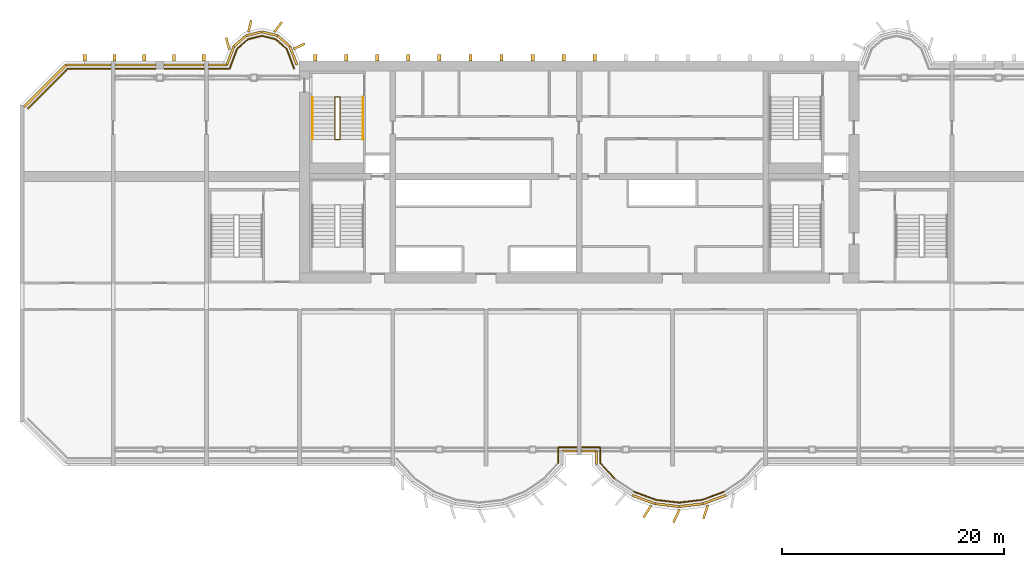
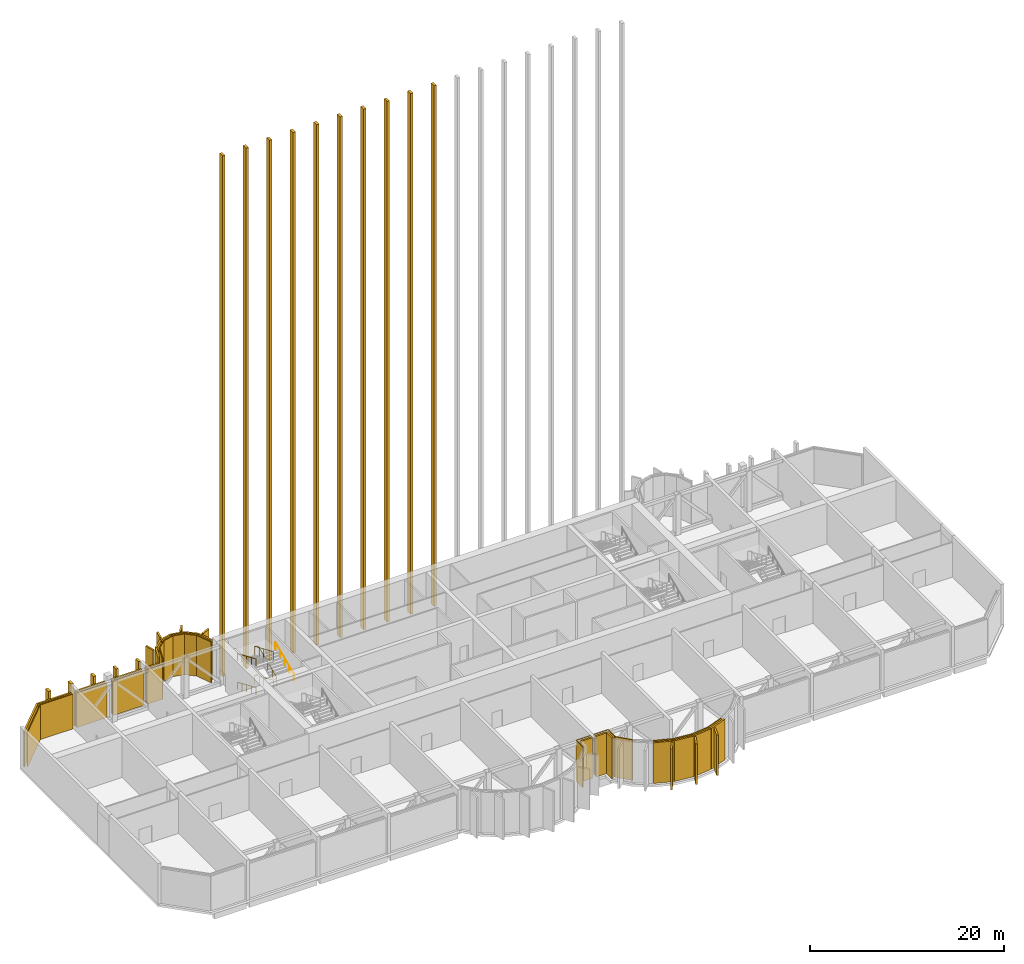
# One storey, part 15 of 17: 42 coverings, 18 shading devices, 4 railings.
"""IFC4 building model written with IfcOpenShell, lengths in metres."""

from ifc_helpers import new_model, si_unit, direction, frame, origin, origin_2d, place, context, subcontext, project, spatial, rectangle, circle, extrude, source, transform, mapped, material, layer, layer_set, material_profile, profile_set, type_object, element, save


model = new_model("IFC4")

# Units and contexts
model_context = context("Model", 3, precision=1e-05, world=origin(), true_north=direction((0.0, 1.0)))
body_context = subcontext(model_context, "Body", "Model", "MODEL_VIEW")
ifc_project = project(units=[si_unit("LENGTHUNIT", "METRE"), si_unit("AREAUNIT", "SQUARE_METRE"), si_unit("VOLUMEUNIT", "CUBIC_METRE"), si_unit("PLANEANGLEUNIT", "RADIAN"), si_unit("MASSUNIT", "GRAM", prefix="KILO")], contexts=[model_context])

# Site, building, storey
site_placement = place(None, origin())
site = spatial("IfcSite", under=ifc_project, at=site_placement, CompositionType="ELEMENT")
building_placement = place(site_placement, origin())
building = spatial("IfcBuilding", under=site, at=building_placement, Name="Vanashikhar Sky Hotel", CompositionType="ELEMENT")
storey_placement = place(building_placement, frame((0.0, 0.0, 140.800048828125)))
storey = spatial("IfcBuildingStorey", under=building, at=storey_placement, Name="L34", CompositionType="ELEMENT", Elevation=140.800048828125)

# Shading devices
ifc_material_1 = material(Name="Aluminium", Category="aluminium")
ifc_layer_1 = layer(ifc_material_1, 0.199951171875)
ifc_layer_set_1 = layer_set([ifc_layer_1], Name="Aluminium louvre band")
shading_device_type = type_object("IfcShadingDeviceType", Name="Aluminium louvre band", PredefinedType="USERDEFINED", material=ifc_layer_set_1)
shared_shape_1 = source(origin(), body_context, "Body", "SweptSolid", [
    extrude(rectangle(XDim=2.1875, YDim=0.199951171875, at=origin_2d()), origin(), (0.0, 0.0, 1.0), 5.1201171875),
])
for number, where, z_axis, x_axis, name in (
    (1, (56.203125, 2.4912109375, 0.0), (0.0, 0.0, 1.0), (0.937537254303, -0.347884890149, 0.0), "Louvre band"),
    (2, (62.5966796875, 2.4912109375, 0.0), (0.0, 0.0, 1.0), (0.937537254303, 0.347884890149, 0.0), "Louvre band"),
):
    element("IfcShadingDevice", number, at=place(storey_placement, frame(where, z_axis=z_axis, x_axis=x_axis)), inside=storey, type_object=shading_device_type, Name=name, ObjectType="LOUVRE", PredefinedType="USERDEFINED", context=body_context, shape_type="MappedRepresentation", body=[
        mapped(shared_shape_1, transform((0.0, 0.0, 0.0), scale=1.0)),
    ])
shared_shape_2 = source(origin(), body_context, "Body", "SweptSolid", [
    extrude(rectangle(XDim=2.1865234375, YDim=0.199951171875, at=origin_2d()), origin(), (0.0, 0.0, 1.0), 5.1201171875),
])
for number, where, z_axis, x_axis, name in (
    (3, (58.314453125, 1.9814453125, 0.0), (0.0, 0.0, 1.0), (0.993008838731, -0.118040019495, 0.0), "Louvre band"),
    (4, (60.485595703125, 1.9814453125, 0.0), (0.0, 0.0, 1.0), (0.993008838731, 0.118040019495, 0.0), "Louvre band"),
):
    element("IfcShadingDevice", number, at=place(storey_placement, frame(where, z_axis=z_axis, x_axis=x_axis)), inside=storey, type_object=shading_device_type, Name=name, ObjectType="LOUVRE", PredefinedType="USERDEFINED", context=body_context, shape_type="MappedRepresentation", body=[
        mapped(shared_shape_2, transform((0.0, 0.0, 0.0), scale=1.0)),
    ])
shared_shape_3 = source(origin(), body_context, "Body", "SweptSolid", [
    extrude(rectangle(XDim=1.214111328125, YDim=0.199951171875, at=origin_2d()), origin(), (0.0, 0.0, 1.0), 5.1201171875),
])
shading_device_1_placement = place(storey_placement, frame((51.949951171875, 6.242919921875, 0.0), z_axis=(0.0, 0.0, 1.0), x_axis=(0.0, -1.0, 0.0)))
element("IfcShadingDevice", 5, at=shading_device_1_placement, inside=storey, type_object=shading_device_type, Name="Louvre band", ObjectType="LOUVRE", PredefinedType="USERDEFINED", context=body_context, shape_type="MappedRepresentation", body=[
    mapped(shared_shape_3, transform((0.0, 0.0, 0.0), scale=1.0)),
])
shared_shape_4 = source(origin(), body_context, "Body", "SweptSolid", [
    extrude(rectangle(XDim=1.7900390625, YDim=0.199951171875, at=origin_2d()), origin(), (0.0, 0.0, 1.0), 5.1201171875),
])
for number, where, z_axis, x_axis, name in (
    (6, (24.63916015625, 42.485595703125, 0.0), (0.0, 0.0, 1.0), (-0.35776499493, 0.933811655744, 0.0), "Louvre band"),
    (7, (18.9609375, 42.485595703125, 0.0), (0.0, 0.0, 1.0), (-0.35776499493, -0.933811655744, 0.0), "Louvre band"),
):
    element("IfcShadingDevice", number, at=place(storey_placement, frame(where, z_axis=z_axis, x_axis=x_axis)), inside=storey, type_object=shading_device_type, Name=name, ObjectType="LOUVRE", PredefinedType="USERDEFINED", context=body_context, shape_type="MappedRepresentation", body=[
        mapped(shared_shape_4, transform((0.0, 0.0, 0.0), scale=1.0)),
    ])
shared_shape_5 = source(origin(), body_context, "Body", "SweptSolid", [
    extrude(rectangle(XDim=1.464599609375, YDim=0.199951171875, at=origin_2d()), origin(), (0.0, 0.0, 1.0), 5.1201171875),
])
for number, where, z_axis, x_axis, name in (
    (8, (23.77001953125, 43.805908203125, 0.0), (0.0, 0.0, 1.0), (-0.749741606437, 0.661730703214, 0.0), "Louvre band"),
    (9, (19.830078125, 43.805908203125, 0.0), (0.0, 0.0, 1.0), (-0.749741606437, -0.661730703214, 0.0), "Louvre band"),
):
    element("IfcShadingDevice", number, at=place(storey_placement, frame(where, z_axis=z_axis, x_axis=x_axis)), inside=storey, type_object=shading_device_type, Name=name, ObjectType="LOUVRE", PredefinedType="USERDEFINED", context=body_context, shape_type="MappedRepresentation", body=[
        mapped(shared_shape_5, transform((0.0, 0.0, 0.0), scale=1.0)),
    ])
shared_shape_6 = source(origin(), body_context, "Body", "SweptSolid", [
    extrude(rectangle(XDim=1.463134765625, YDim=0.199951171875, at=origin_2d()), origin(), (0.0, 0.0, 1.0), 5.1201171875),
])
for number, where, z_axis, x_axis, name in (
    (10, (22.510498046875, 44.465087890625, 0.0), (0.0, 0.0, 1.0), (-0.97113427991, 0.238533457579, 0.0), "Louvre band"),
    (11, (21.089599609375, 44.465087890625, 0.0), (0.0, 0.0, 1.0), (-0.97113427991, -0.238533457579, 0.0), "Louvre band"),
):
    element("IfcShadingDevice", number, at=place(storey_placement, frame(where, z_axis=z_axis, x_axis=x_axis)), inside=storey, type_object=shading_device_type, Name=name, ObjectType="LOUVRE", PredefinedType="USERDEFINED", context=body_context, shape_type="MappedRepresentation", body=[
        mapped(shared_shape_6, transform((0.0, 0.0, 0.0), scale=1.0)),
    ])

# Coverings
ifc_material_2 = material(Name="Concrete M40", Category="concrete")
ifc_layer_2 = layer(ifc_material_2, 0.10009765625)
ifc_layer_set_2 = layer_set([ifc_layer_2], Name="Plant floor cladding panel")
covering_type_1 = type_object("IfcCoveringType", Name="Plant floor cladding panel", PredefinedType="CLADDING", material=ifc_layer_set_2)
shared_shape_7 = source(origin(), body_context, "Body", "SweptSolid", [
    extrude(rectangle(XDim=2.10400390625, YDim=0.10009765625, at=origin_2d()), origin(), (0.0, 0.0, 1.0), 5.1201171875),
])
for number, where, z_axis, x_axis, name in (
    (12, (56.3251953125, 2.8193359375, 0.0), (0.0, 0.0, 1.0), (0.937537254303, -0.347884890149, 0.0), "Plant floor cladding panel"),
    (13, (62.474853515625, 2.8193359375, 0.0), (0.0, 0.0, 1.0), (0.937537254303, 0.347884890149, 0.0), "Plant floor cladding panel"),
):
    element("IfcCovering", number, at=place(storey_placement, frame(where, z_axis=z_axis, x_axis=x_axis)), inside=storey, type_object=covering_type_1, Name=name, PredefinedType="CLADDING", context=body_context, shape_type="MappedRepresentation", body=[
        mapped(shared_shape_7, transform((0.0, 0.0, 0.0), scale=1.0)),
    ])
shared_shape_8 = source(origin(), body_context, "Body", "SweptSolid", [
    extrude(rectangle(XDim=2.103271484375, YDim=0.10009765625, at=origin_2d()), origin(), (0.0, 0.0, 1.0), 5.1201171875),
])
for number, where, z_axis, x_axis, name in (
    (14, (58.355712890625, 2.3291015625, 0.0), (0.0, 0.0, 1.0), (0.993002656809, -0.118092013154, 0.0), "Plant floor cladding panel"),
    (15, (60.4443359375, 2.3291015625, 0.0), (0.0, 0.0, 1.0), (0.993002656809, 0.118092013154, 0.0), "Plant floor cladding panel"),
):
    element("IfcCovering", number, at=place(storey_placement, frame(where, z_axis=z_axis, x_axis=x_axis)), inside=storey, type_object=covering_type_1, Name=name, PredefinedType="CLADDING", context=body_context, shape_type="MappedRepresentation", body=[
        mapped(shared_shape_8, transform((0.0, 0.0, 0.0), scale=1.0)),
    ])
shared_shape_9 = source(origin(), body_context, "Body", "SweptSolid", [
    extrude(rectangle(XDim=1.91455078125, YDim=0.10009765625, at=origin_2d()), origin(), (0.0, 0.0, 1.0), 5.1201171875),
])
covering_1_placement = place(storey_placement, frame((52.946533203125, 5.066162109375, 0.0), z_axis=(0.0, 0.0, 1.0), x_axis=(0.675371423292, -0.737477756004, 0.0)))
element("IfcCovering", 16, at=covering_1_placement, inside=storey, type_object=covering_type_1, Name="Plant floor cladding panel", PredefinedType="CLADDING", context=body_context, shape_type="MappedRepresentation", body=[
    mapped(shared_shape_9, transform((0.0, 0.0, 0.0), scale=1.0)),
])
shared_shape_10 = source(origin(), body_context, "Body", "SweptSolid", [
    extrude(rectangle(XDim=1.427978515625, YDim=0.10009765625, at=origin_2d()), origin(), (0.0, 0.0, 1.0), 5.1201171875),
])
for number, where, z_axis, x_axis, name in (
    (17, (48.5, 6.486083984375, 0.0), (0.0, 0.0, 1.0), (0.0, 1.0, 0.0), "Plant floor cladding panel"),
    (18, (52.300048828125, 6.486083984375, 0.0), (0.0, 0.0, 1.0), (0.0, -1.0, 0.0), "Plant floor cladding panel"),
):
    element("IfcCovering", number, at=place(storey_placement, frame(where, z_axis=z_axis, x_axis=x_axis)), inside=storey, type_object=covering_type_1, Name=name, PredefinedType="CLADDING", context=body_context, shape_type="MappedRepresentation", body=[
        mapped(shared_shape_10, transform((0.0, 0.0, 0.0), scale=1.0)),
    ])
shared_shape_11 = source(origin(), body_context, "Body", "SweptSolid", [
    extrude(rectangle(XDim=5.076904296875, YDim=0.10009765625, at=origin_2d()), origin(), (0.0, 0.0, 1.0), 4.3701171875),
])
covering_2_placement = place(storey_placement, frame((2.4951171875, 39.5048828125, 0.0), z_axis=(0.0, 0.0, 1.0), x_axis=(-0.707106781187, -0.707106781187, 0.0)))
element("IfcCovering", 19, at=covering_2_placement, inside=storey, type_object=covering_type_1, Name="Plant floor cladding panel", PredefinedType="CLADDING", context=body_context, shape_type="MappedRepresentation", body=[
    mapped(shared_shape_11, transform((0.0, 0.0, 0.0), scale=1.0)),
])
shared_shape_12 = source(origin(), body_context, "Body", "SweptSolid", [
    extrude(rectangle(XDim=1.944580078125, YDim=0.10009765625, at=origin_2d()), origin(), (0.0, 0.0, 1.0), 5.1201171875),
])
for number, where, z_axis, x_axis, name in (
    (20, (24.37060546875, 42.2080078125, 0.0), (0.0, 0.0, 1.0), (-0.357781292963, 0.933805411425, 0.0), "Plant floor cladding panel"),
    (21, (19.229248046875, 42.2080078125, 0.0), (0.0, 0.0, 1.0), (-0.357781292963, -0.933805411425, 0.0), "Plant floor cladding panel"),
):
    element("IfcCovering", number, at=place(storey_placement, frame(where, z_axis=z_axis, x_axis=x_axis)), inside=storey, type_object=covering_type_1, Name=name, PredefinedType="CLADDING", context=body_context, shape_type="MappedRepresentation", body=[
        mapped(shared_shape_12, transform((0.0, 0.0, 0.0), scale=1.0)),
    ])
shared_shape_13 = source(origin(), body_context, "Body", "SweptSolid", [
    extrude(rectangle(XDim=1.29248046875, YDim=0.10009765625, at=origin_2d()), origin(), (0.0, 0.0, 1.0), 5.1201171875),
])
for number, where, z_axis, x_axis, name in (
    (22, (23.538330078125, 43.543701171875, 0.0), (0.0, 0.0, 1.0), (-0.749683856685, 0.661796127993, 0.0), "Plant floor cladding panel"),
    (23, (20.061767578125, 43.543701171875, 0.0), (0.0, 0.0, 1.0), (-0.749683856685, -0.661796127993, 0.0), "Plant floor cladding panel"),
):
    element("IfcCovering", number, at=place(storey_placement, frame(where, z_axis=z_axis, x_axis=x_axis)), inside=storey, type_object=covering_type_1, Name=name, PredefinedType="CLADDING", context=body_context, shape_type="MappedRepresentation", body=[
        mapped(shared_shape_13, transform((0.0, 0.0, 0.0), scale=1.0)),
    ])
shared_shape_14 = source(origin(), body_context, "Body", "SweptSolid", [
    extrude(rectangle(XDim=1.291015625, YDim=0.10009765625, at=origin_2d()), origin(), (0.0, 0.0, 1.0), 5.1201171875),
])
for number, where, z_axis, x_axis, name in (
    (24, (22.427001953125, 44.125244140625, 0.0), (0.0, 0.0, 1.0), (-0.97115093032, 0.238465659035, 0.0), "Plant floor cladding panel"),
    (25, (21.173095703125, 44.125244140625, 0.0), (0.0, 0.0, 1.0), (-0.97115093032, -0.238465659035, 0.0), "Plant floor cladding panel"),
):
    element("IfcCovering", number, at=place(storey_placement, frame(where, z_axis=z_axis, x_axis=x_axis)), inside=storey, type_object=covering_type_1, Name=name, PredefinedType="CLADDING", context=body_context, shape_type="MappedRepresentation", body=[
        mapped(shared_shape_14, transform((0.0, 0.0, 0.0), scale=1.0)),
    ])

# Shading devices
shared_shape_15 = source(origin(), body_context, "Body", "SweptSolid", [
    extrude(rectangle(XDim=4.050048828125, YDim=0.199951171875, at=origin_2d()), origin(), (0.0, 0.0, 1.0), 4.3701171875),
])
shading_device_2_placement = place(storey_placement, frame((6.169921875, 41.64990234375, 0.0), z_axis=(0.0, 0.0, 1.0), x_axis=(-1.0, 0.0, 0.0)))
element("IfcShadingDevice", 26, at=shading_device_2_placement, inside=storey, type_object=shading_device_type, Name="Louvre band", ObjectType="LOUVRE", PredefinedType="USERDEFINED", context=body_context, shape_type="MappedRepresentation", body=[
    mapped(shared_shape_15, transform((0.0, 0.0, 0.0), scale=1.0)),
])
shared_shape_16 = source(origin(), body_context, "Body", "SweptSolid", [
    extrude(rectangle(XDim=1.344970703125, YDim=0.199951171875, at=origin_2d()), origin(), (0.0, 0.0, 1.0), 5.1201171875),
])
for number, where, z_axis, x_axis, name in (
    (27, (49.5224609375, 6.85009765625, 0.0), (0.0, 0.0, 1.0), (1.0, 0.0, 0.0), "Louvre band"),
    (28, (51.277587890625, 6.85009765625, 0.0), (0.0, 0.0, 1.0), (1.0, 0.0, 0.0), "Louvre band"),
):
    element("IfcShadingDevice", number, at=place(storey_placement, frame(where, z_axis=z_axis, x_axis=x_axis)), inside=storey, type_object=shading_device_type, Name=name, ObjectType="LOUVRE", PredefinedType="USERDEFINED", context=body_context, shape_type="MappedRepresentation", body=[
        mapped(shared_shape_16, transform((0.0, 0.0, 0.0), scale=1.0)),
    ])
shared_shape_17 = source(origin(), body_context, "Body", "SweptSolid", [
    extrude(rectangle(XDim=5.324462890625, YDim=0.199951171875, at=origin_2d()), origin(), (0.0, 0.0, 1.0), 4.3701171875),
])
shading_device_3_placement = place(storey_placement, frame((2.262451171875, 39.767578125, 0.0), z_axis=(0.0, 0.0, 1.0), x_axis=(-0.707106781187, -0.707106781187, 0.0)))
element("IfcShadingDevice", 29, at=shading_device_3_placement, inside=storey, type_object=shading_device_type, Name="Louvre band", ObjectType="LOUVRE", PredefinedType="USERDEFINED", context=body_context, shape_type="MappedRepresentation", body=[
    mapped(shared_shape_17, transform((0.0, 0.0, 0.0), scale=1.0)),
])
shared_shape_18 = source(origin(), body_context, "Body", "SweptSolid", [
    extrude(rectangle(XDim=1.6357421875, YDim=0.199951171875, at=origin_2d()), origin(), (0.0, 0.0, 1.0), 4.3701171875),
])
shading_device_4_placement = place(storey_placement, frame((17.822998046875, 41.64990234375, 0.0), z_axis=(0.0, 0.0, 1.0), x_axis=(-1.0, 0.0, 0.0)))
element("IfcShadingDevice", 30, at=shading_device_4_placement, inside=storey, type_object=shading_device_type, Name="Louvre band", ObjectType="LOUVRE", PredefinedType="USERDEFINED", context=body_context, shape_type="MappedRepresentation", body=[
    mapped(shared_shape_18, transform((0.0, 0.0, 0.0), scale=1.0)),
])
shared_shape_19 = source(origin(), body_context, "Body", "SweptSolid", [
    extrude(rectangle(XDim=3.614990234375, YDim=0.199951171875, at=origin_2d()), origin(), (0.0, 0.0, 1.0), 4.3701171875),
])
for number, where, z_axis, x_axis, name in (
    (31, (10.41259765625, 41.64990234375, 0.0), (0.0, 0.0, 1.0), (-1.0, 0.0, 0.0), "Louvre band"),
    (32, (14.78759765625, 41.64990234375, 0.0), (0.0, 0.0, 1.0), (-1.0, 0.0, 0.0), "Louvre band"),
):
    element("IfcShadingDevice", number, at=place(storey_placement, frame(where, z_axis=z_axis, x_axis=x_axis)), inside=storey, type_object=shading_device_type, Name=name, ObjectType="LOUVRE", PredefinedType="USERDEFINED", context=body_context, shape_type="MappedRepresentation", body=[
        mapped(shared_shape_19, transform((0.0, 0.0, 0.0), scale=1.0)),
    ])

# Coverings
shared_shape_20 = source(origin(), body_context, "Body", "SweptSolid", [
    extrude(rectangle(XDim=3.905029296875, YDim=0.10009765625, at=origin_2d()), origin(), (0.0, 0.0, 1.0), 4.3701171875),
])
covering_3_placement = place(storey_placement, frame((6.242431640625, 41.300048828125, 0.0), z_axis=(0.0, 0.0, 1.0), x_axis=(-1.0, 0.0, 0.0)))
element("IfcCovering", 33, at=covering_3_placement, inside=storey, type_object=covering_type_1, Name="Plant floor cladding panel", PredefinedType="CLADDING", context=body_context, shape_type="MappedRepresentation", body=[
    mapped(shared_shape_20, transform((0.0, 0.0, 0.0), scale=1.0)),
])
shared_shape_21 = source(origin(), body_context, "Body", "SweptSolid", [
    extrude(rectangle(XDim=1.695068359375, YDim=0.10009765625, at=origin_2d()), origin(), (0.0, 0.0, 1.0), 5.1201171875),
])
for number, where, z_axis, x_axis, name in (
    (34, (49.347412109375, 7.199951171875, 0.0), (0.0, 0.0, 1.0), (1.0, 0.0, 0.0), "Plant floor cladding panel"),
    (35, (51.452392578125, 7.199951171875, 0.0), (0.0, 0.0, 1.0), (1.0, 0.0, 0.0), "Plant floor cladding panel"),
):
    element("IfcCovering", number, at=place(storey_placement, frame(where, z_axis=z_axis, x_axis=x_axis)), inside=storey, type_object=covering_type_1, Name=name, PredefinedType="CLADDING", context=body_context, shape_type="MappedRepresentation", body=[
        mapped(shared_shape_21, transform((0.0, 0.0, 0.0), scale=1.0)),
    ])
shared_shape_22 = source(origin(), body_context, "Body", "SweptSolid", [
    extrude(rectangle(XDim=1.87646484375, YDim=0.10009765625, at=origin_2d()), origin(), (0.0, 0.0, 1.0), 4.3701171875),
])
covering_4_placement = place(storey_placement, frame((17.943115234375, 41.300048828125, 0.0), z_axis=(0.0, 0.0, 1.0), x_axis=(-1.0, 0.0, 0.0)))
element("IfcCovering", 36, at=covering_4_placement, inside=storey, type_object=covering_type_1, Name="Plant floor cladding panel", PredefinedType="CLADDING", context=body_context, shape_type="MappedRepresentation", body=[
    mapped(shared_shape_22, transform((0.0, 0.0, 0.0), scale=1.0)),
])
shared_shape_23 = source(origin(), body_context, "Body", "SweptSolid", [
    extrude(rectangle(XDim=3.614990234375, YDim=0.10009765625, at=origin_2d()), origin(), (0.0, 0.0, 1.0), 4.3701171875),
])
for number, where, z_axis, x_axis, name in (
    (37, (10.41259765625, 41.300048828125, 0.0), (0.0, 0.0, 1.0), (-1.0, 0.0, 0.0), "Plant floor cladding panel"),
    (38, (14.78759765625, 41.300048828125, 0.0), (0.0, 0.0, 1.0), (-1.0, 0.0, 0.0), "Plant floor cladding panel"),
):
    element("IfcCovering", number, at=place(storey_placement, frame(where, z_axis=z_axis, x_axis=x_axis)), inside=storey, type_object=covering_type_1, Name=name, PredefinedType="CLADDING", context=body_context, shape_type="MappedRepresentation", body=[
        mapped(shared_shape_23, transform((0.0, 0.0, 0.0), scale=1.0)),
    ])
ifc_material_3 = material(Name="Concrete M60 dark", Category="concrete")
ifc_material_profile_1 = material_profile(ifc_material_3, rectangle(XDim=1.300048828125, YDim=0.199951171875, at=origin_2d()))
ifc_profile_set_1 = profile_set([ifc_material_profile_1], Name="Fin 1300 x 200")
covering_type_2 = type_object("IfcCoveringType", Name="Fin 1300 x 200", PredefinedType="CLADDING", material=ifc_profile_set_1)
shared_shape_24 = source(origin(), body_context, "Body", "SweptSolid", [
    extrude(rectangle(XDim=1.300048828125, YDim=0.199951171875, at=origin_2d()), origin(), (0.0, 0.0, 1.0), 5.119873046875),
])
for number, where, z_axis, x_axis, name in (
    (39, (56.547119140625, 1.416015625, 0.0), (0.0, 0.0, 1.0), (-0.534411358496, -0.845224526331, 0.0), "Fin F2-3"),
    (40, (59.16748046875, 1.00146484375, 0.0), (0.0, 0.0, 1.0), (-0.422618261741, -0.906307787037, 0.0), "Fin F2-4"),
    (41, (61.790771484375, 1.35693359375, 0.0), (0.0, 0.0, 1.0), (-0.303966551867, -0.952682704444, 0.0), "Fin F2-5"),
):
    element("IfcCovering", number, at=place(storey_placement, frame(where, z_axis=z_axis, x_axis=x_axis)), inside=storey, type_object=covering_type_2, Name=name, PredefinedType="CLADDING", context=body_context, shape_type="MappedRepresentation", body=[
        mapped(shared_shape_24, transform((0.0, 0.0, 0.0), scale=1.0)),
    ])
ifc_material_profile_2 = material_profile(ifc_material_3, rectangle(XDim=1.10009765625, YDim=0.199951171875, at=origin_2d()))
ifc_profile_set_2 = profile_set([ifc_material_profile_2], Name="Rear lobe fin 1100 x 200")
covering_type_3 = type_object("IfcCoveringType", Name="Rear lobe fin 1100 x 200", PredefinedType="CLADDING", material=ifc_profile_set_2)
shared_shape_25 = source(origin(), body_context, "Body", "SweptSolid", [
    extrude(rectangle(XDim=1.10009765625, YDim=0.199951171875, at=origin_2d()), origin(), (0.0, 0.0, 1.0), 5.119873046875),
])
for number, where, z_axis, x_axis, name in (
    (42, (18.720703125, 43.580078125, 0.0), (0.0, 0.0, 1.0), (-0.262711264409, 0.964874495234, 0.0), "Fin R1-1"),
    (43, (20.710205078125, 45.1455078125, 0.0), (0.0, 0.0, 1.0), (0.224644935864, 0.974440687159, 0.0), "Fin R1-2"),
    (44, (23.261962890625, 45.06640625, 0.0), (0.0, 0.0, 1.0), (0.602065892195, 0.798446404874, 0.0), "Fin R1-3"),
    (45, (25.169677734375, 43.33447265625, 0.0), (0.0, 0.0, 1.0), (0.908004291068, 0.418960866193, 0.0), "Fin R1-4"),
):
    element("IfcCovering", number, at=place(storey_placement, frame(where, z_axis=z_axis, x_axis=x_axis)), inside=storey, type_object=covering_type_3, Name=name, PredefinedType="CLADDING", context=body_context, shape_type="MappedRepresentation", body=[
        mapped(shared_shape_25, transform((0.0, 0.0, 0.0), scale=1.0)),
    ])
ifc_material_profile_3 = material_profile(ifc_material_3, rectangle(XDim=0.60009765625, YDim=0.300048828125, at=origin_2d()))
ifc_profile_set_3 = profile_set([ifc_material_profile_3], Name="Rear rib 600 x 300")
covering_type_4 = type_object("IfcCoveringType", Name="Rear rib 600 x 300", PredefinedType="CLADDING", material=ifc_profile_set_3)
shared_shape_26 = source(origin(), body_context, "Body", "SweptSolid", [
    extrude(rectangle(XDim=0.60009765625, YDim=0.300048828125, at=origin_2d()), origin(), (0.0, 0.0, 1.0), 65.60009765625),
])
for number, where, z_axis, x_axis, name in (
    (46, (26.60009765625, 42.300048828125, -0.280029296875), (0.0, 0.0, 1.0), (0.0, 1.0, 0.0), "Rear rib"),
    (47, (29.39990234375, 42.300048828125, -0.280029296875), (0.0, 0.0, 1.0), (0.0, 1.0, 0.0), "Rear rib"),
    (48, (32.199951171875, 42.300048828125, -0.280029296875), (0.0, 0.0, 1.0), (0.0, 1.0, 0.0), "Rear rib"),
    (49, (35.0, 42.300048828125, -0.280029296875), (0.0, 0.0, 1.0), (0.0, 1.0, 0.0), "Rear rib"),
    (50, (37.800048828125, 42.300048828125, -0.280029296875), (0.0, 0.0, 1.0), (0.0, 1.0, 0.0), "Rear rib"),
    (51, (40.60009765625, 42.300048828125, -0.280029296875), (0.0, 0.0, 1.0), (0.0, 1.0, 0.0), "Rear rib"),
    (52, (43.39990234375, 42.300048828125, -0.280029296875), (0.0, 0.0, 1.0), (0.0, 1.0, 0.0), "Rear rib"),
    (53, (46.199951171875, 42.300048828125, -0.280029296875), (0.0, 0.0, 1.0), (0.0, 1.0, 0.0), "Rear rib"),
    (54, (49.0, 42.300048828125, -0.280029296875), (0.0, 0.0, 1.0), (0.0, 1.0, 0.0), "Rear rib"),
    (55, (51.800048828125, 42.300048828125, -0.280029296875), (0.0, 0.0, 1.0), (0.0, 1.0, 0.0), "Rear rib"),
):
    element("IfcCovering", number, at=place(storey_placement, frame(where, z_axis=z_axis, x_axis=x_axis)), inside=storey, type_object=covering_type_4, Name=name, PredefinedType="CLADDING", context=body_context, shape_type="MappedRepresentation", body=[
        mapped(shared_shape_26, transform((0.0, 0.0, 0.0), scale=1.0)),
    ])
shared_shape_27 = source(origin(), body_context, "Body", "SweptSolid", [
    extrude(rectangle(XDim=0.60009765625, YDim=0.300048828125, at=origin_2d()), origin(), (0.0, 0.0, 1.0), 5.39990234375),
])
for number, where, z_axis, x_axis, name in (
    (56, (5.840087890625, 42.300048828125, -0.280029296875), (0.0, 0.0, 1.0), (0.0, 1.0, 0.0), "Rear rib"),
    (57, (8.52001953125, 42.300048828125, -0.280029296875), (0.0, 0.0, 1.0), (0.0, 1.0, 0.0), "Rear rib"),
    (58, (11.199951171875, 42.300048828125, -0.280029296875), (0.0, 0.0, 1.0), (0.0, 1.0, 0.0), "Rear rib"),
    (59, (13.8798828125, 42.300048828125, -0.280029296875), (0.0, 0.0, 1.0), (0.0, 1.0, 0.0), "Rear rib"),
    (60, (16.56005859375, 42.300048828125, -0.280029296875), (0.0, 0.0, 1.0), (0.0, 1.0, 0.0), "Rear rib"),
):
    element("IfcCovering", number, at=place(storey_placement, frame(where, z_axis=z_axis, x_axis=x_axis)), inside=storey, type_object=covering_type_4, Name=name, PredefinedType="CLADDING", context=body_context, shape_type="MappedRepresentation", body=[
        mapped(shared_shape_27, transform((0.0, 0.0, 0.0), scale=1.0)),
    ])

# Railings
ifc_material_4 = material(Name="Steel S355", Category="steel")
railing_type_1 = type_object("IfcRailingType", Name="Stair handrail 900", PredefinedType="HANDRAIL", material=ifc_material_4)
shared_shape_28 = source(origin(), body_context, "Body", "SweptSolid", [
    extrude(circle(Radius=0.02392578125, at=origin_2d()), frame((0.0, 0.0, 0.8759765625), z_axis=(0.0, -0.917250781605, 0.398310185215), x_axis=(1.0, 0.0, 0.0)), (0.0, 0.0, 1.0), 4.142822265625),
    extrude(circle(Radius=0.02099609375, at=origin_2d()), origin(), (0.0, 0.0, 1.0), 0.851806640625),
    extrude(circle(Radius=0.02099609375, at=origin_2d()), frame((0.0, -0.949951171875, 0.41259765625)), (0.0, 0.0, 1.0), 0.851806640625),
    extrude(circle(Radius=0.02099609375, at=origin_2d()), frame((0.0, -1.89990234375, 0.8251953125)), (0.0, 0.0, 1.0), 0.851806640625),
    extrude(circle(Radius=0.02099609375, at=origin_2d()), frame((0.0, -2.85009765625, 1.237548828125)), (0.0, 0.0, 1.0), 0.851806640625),
    extrude(circle(Radius=0.02099609375, at=origin_2d()), frame((0.0, -3.800048828125, 1.650146484375)), (0.0, 0.0, 1.0), 0.851806640625),
])
railing_1_placement = place(storey_placement, frame((26.35009765625, 38.75, 0.14990234375)))
element("IfcRailing", 61, at=railing_1_placement, inside=storey, type_object=railing_type_1, Name="Exit stair 5 handrail", PredefinedType="HANDRAIL", context=body_context, shape_type="MappedRepresentation", body=[
    mapped(shared_shape_28, transform((0.0, 0.0, 0.0), scale=1.0)),
])
shared_shape_29 = source(origin(), body_context, "Body", "SweptSolid", [
    extrude(circle(Radius=0.02392578125, at=origin_2d()), frame((0.0, 0.0, 0.8759765625), z_axis=(0.0, -0.91727231099, 0.398260602484), x_axis=(1.0, 0.0, 0.0)), (0.0, 0.0, 1.0), 4.142822265625),
    extrude(circle(Radius=0.02099609375, at=origin_2d()), origin(), (0.0, 0.0, 1.0), 0.851806640625),
    extrude(circle(Radius=0.02099609375, at=origin_2d()), frame((0.0, -0.949951171875, 0.41259765625)), (0.0, 0.0, 1.0), 0.851806640625),
    extrude(circle(Radius=0.02099609375, at=origin_2d()), frame((0.0, -1.89990234375, 0.824951171875)), (0.0, 0.0, 1.0), 0.851806640625),
    extrude(circle(Radius=0.02099609375, at=origin_2d()), frame((0.0, -2.85009765625, 1.2373046875)), (0.0, 0.0, 1.0), 0.851806640625),
    extrude(circle(Radius=0.02099609375, at=origin_2d()), frame((0.0, -3.800048828125, 1.64990234375)), (0.0, 0.0, 1.0), 0.851806640625),
])
railing_2_placement = place(storey_placement, frame((26.35009765625, 38.75, 3.75)))
element("IfcRailing", 62, at=railing_2_placement, inside=storey, type_object=railing_type_1, Name="Exit stair 5 handrail", PredefinedType="HANDRAIL", context=body_context, shape_type="MappedRepresentation", body=[
    mapped(shared_shape_29, transform((0.0, 0.0, 0.0), scale=1.0)),
])
shared_shape_30 = source(origin(), body_context, "Body", "SweptSolid", [
    extrude(circle(Radius=0.02392578125, at=origin_2d()), frame((0.0, 0.0, 0.8759765625), z_axis=(0.0, 0.91727231099, 0.398260602484), x_axis=(-1.0, 0.0, 0.0)), (0.0, 0.0, 1.0), 4.142822265625),
    extrude(circle(Radius=0.02099609375, at=origin_2d()), origin(), (0.0, 0.0, 1.0), 0.851806640625),
    extrude(circle(Radius=0.02099609375, at=origin_2d()), frame((0.0, 0.949951171875, 0.41259765625)), (0.0, 0.0, 1.0), 0.851806640625),
    extrude(circle(Radius=0.02099609375, at=origin_2d()), frame((0.0, 1.89990234375, 0.824951171875)), (0.0, 0.0, 1.0), 0.851806640625),
    extrude(circle(Radius=0.02099609375, at=origin_2d()), frame((0.0, 2.85009765625, 1.2373046875)), (0.0, 0.0, 1.0), 0.851806640625),
    extrude(circle(Radius=0.02099609375, at=origin_2d()), frame((0.0, 3.800048828125, 1.64990234375)), (0.0, 0.0, 1.0), 0.851806640625),
])
railing_3_placement = place(storey_placement, frame((30.89990234375, 34.949951171875, 1.949951171875)))
element("IfcRailing", 63, at=railing_3_placement, inside=storey, type_object=railing_type_1, Name="Exit stair 5 handrail", PredefinedType="HANDRAIL", context=body_context, shape_type="MappedRepresentation", body=[
    mapped(shared_shape_30, transform((0.0, 0.0, 0.0), scale=1.0)),
])
railing_type_2 = type_object("IfcRailingType", Name="Stair guard 1100", PredefinedType="GUARDRAIL", material=ifc_material_4)
shared_shape_31 = source(origin(), body_context, "Body", "SweptSolid", [
    extrude(circle(Radius=0.02392578125, at=origin_2d()), frame((0.0, 0.0, 1.076171875), z_axis=(-0.948786153043, 0.0, 0.315919033605), x_axis=(0.0, -1.0, 0.0)), (0.0, 0.0, 1.0), 0.474609375),
    extrude(circle(Radius=0.02392578125, at=origin_2d()), frame((-0.4501953125, 0.0, 1.22607421875), z_axis=(0.0, -0.917250781605, 0.398310185215), x_axis=(1.0, 0.0, 0.0)), (0.0, 0.0, 1.0), 4.142822265625),
    extrude(circle(Radius=0.02392578125, at=origin_2d()), frame((-0.4501953125, -3.800048828125, 2.8759765625), z_axis=(0.948786153043, 0.0, 0.315919033605), x_axis=(0.0, 1.0, 0.0)), (0.0, 0.0, 1.0), 0.474609375),
    extrude(circle(Radius=0.02392578125, at=origin_2d()), frame((0.0, -3.800048828125, 3.02587890625), z_axis=(0.0, 0.91727231099, 0.398260602484), x_axis=(-1.0, 0.0, 0.0)), (0.0, 0.0, 1.0), 4.142822265625),
    extrude(circle(Radius=0.02392578125, at=origin_2d()), frame((0.0, 0.0, 4.67578125), z_axis=(-0.948631841254, 0.0, 0.316382094561), x_axis=(0.0, -1.0, 0.0)), (0.0, 0.0, 1.0), 0.474609375),
    extrude(circle(Radius=0.02392578125, at=origin_2d()), frame((-0.4501953125, 0.0, 4.826171875), z_axis=(0.0, -0.91727231099, 0.398260602484), x_axis=(1.0, 0.0, 0.0)), (0.0, 0.0, 1.0), 4.142822265625),
    extrude(circle(Radius=0.02099609375, at=origin_2d()), origin(), (0.0, 0.0, 1.0), 1.052001953125),
    extrude(circle(Radius=0.02099609375, at=origin_2d()), frame((-0.4501953125, 0.0, 0.14990234375)), (0.0, 0.0, 1.0), 1.052001953125),
    extrude(circle(Radius=0.02099609375, at=origin_2d()), frame((-0.4501953125, -0.949951171875, 0.5625)), (0.0, 0.0, 1.0), 1.052001953125),
    extrude(circle(Radius=0.02099609375, at=origin_2d()), frame((-0.4501953125, -1.89990234375, 0.97509765625)), (0.0, 0.0, 1.0), 1.052001953125),
    extrude(circle(Radius=0.02099609375, at=origin_2d()), frame((-0.4501953125, -2.85009765625, 1.387451171875)), (0.0, 0.0, 1.0), 1.052001953125),
    extrude(circle(Radius=0.02099609375, at=origin_2d()), frame((-0.4501953125, -3.800048828125, 1.800048828125)), (0.0, 0.0, 1.0), 1.052001953125),
    extrude(circle(Radius=0.02099609375, at=origin_2d()), frame((0.0, -3.800048828125, 1.949951171875)), (0.0, 0.0, 1.0), 1.052001953125),
    extrude(circle(Radius=0.02099609375, at=origin_2d()), frame((0.0, -2.85009765625, 2.3623046875)), (0.0, 0.0, 1.0), 1.052001953125),
    extrude(circle(Radius=0.02099609375, at=origin_2d()), frame((0.0, -1.89990234375, 2.77490234375)), (0.0, 0.0, 1.0), 1.052001953125),
    extrude(circle(Radius=0.02099609375, at=origin_2d()), frame((0.0, -0.949951171875, 3.1875)), (0.0, 0.0, 1.0), 1.052001953125),
    extrude(circle(Radius=0.02099609375, at=origin_2d()), frame((0.0, 0.0, 3.599853515625)), (0.0, 0.0, 1.0), 1.052001953125),
    extrude(circle(Radius=0.02099609375, at=origin_2d()), frame((-0.4501953125, 0.0, 3.75)), (0.0, 0.0, 1.0), 1.052001953125),
    extrude(circle(Radius=0.02099609375, at=origin_2d()), frame((-0.4501953125, -0.949951171875, 4.16259765625)), (0.0, 0.0, 1.0), 1.052001953125),
    extrude(circle(Radius=0.02099609375, at=origin_2d()), frame((-0.4501953125, -1.89990234375, 4.574951171875)), (0.0, 0.0, 1.0), 1.052001953125),
    extrude(circle(Radius=0.02099609375, at=origin_2d()), frame((-0.4501953125, -2.85009765625, 4.9873046875)), (0.0, 0.0, 1.0), 1.052001953125),
    extrude(circle(Radius=0.02099609375, at=origin_2d()), frame((-0.4501953125, -3.800048828125, 5.39990234375)), (0.0, 0.0, 1.0), 1.052001953125),
])
railing_4_placement = place(storey_placement, frame((28.85009765625, 38.75, 0.0)))
element("IfcRailing", 64, at=railing_4_placement, inside=storey, type_object=railing_type_2, Name="Exit stair 5 guard", PredefinedType="GUARDRAIL", context=body_context, shape_type="MappedRepresentation", body=[
    mapped(shared_shape_31, transform((0.0, 0.0, 0.0), scale=1.0)),
])

save(model, "model.ifc")
